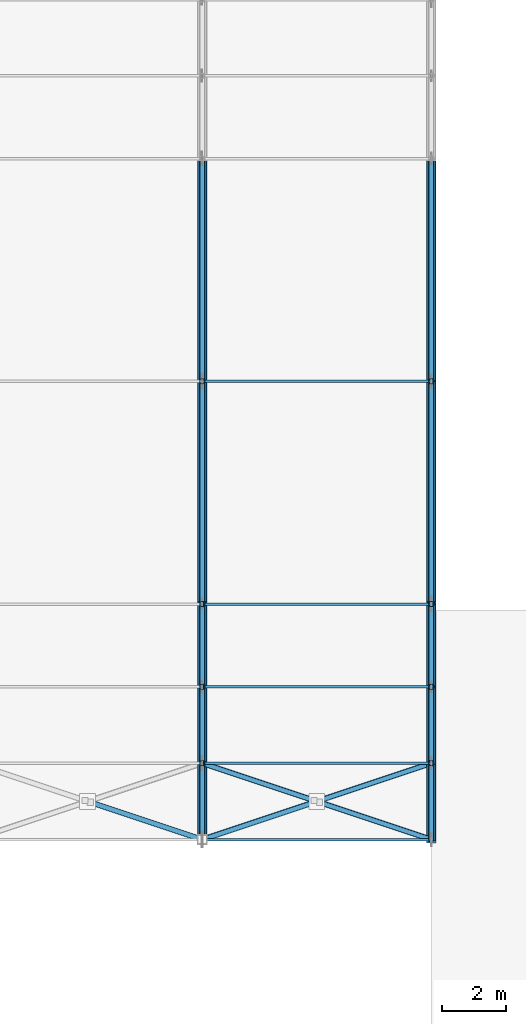
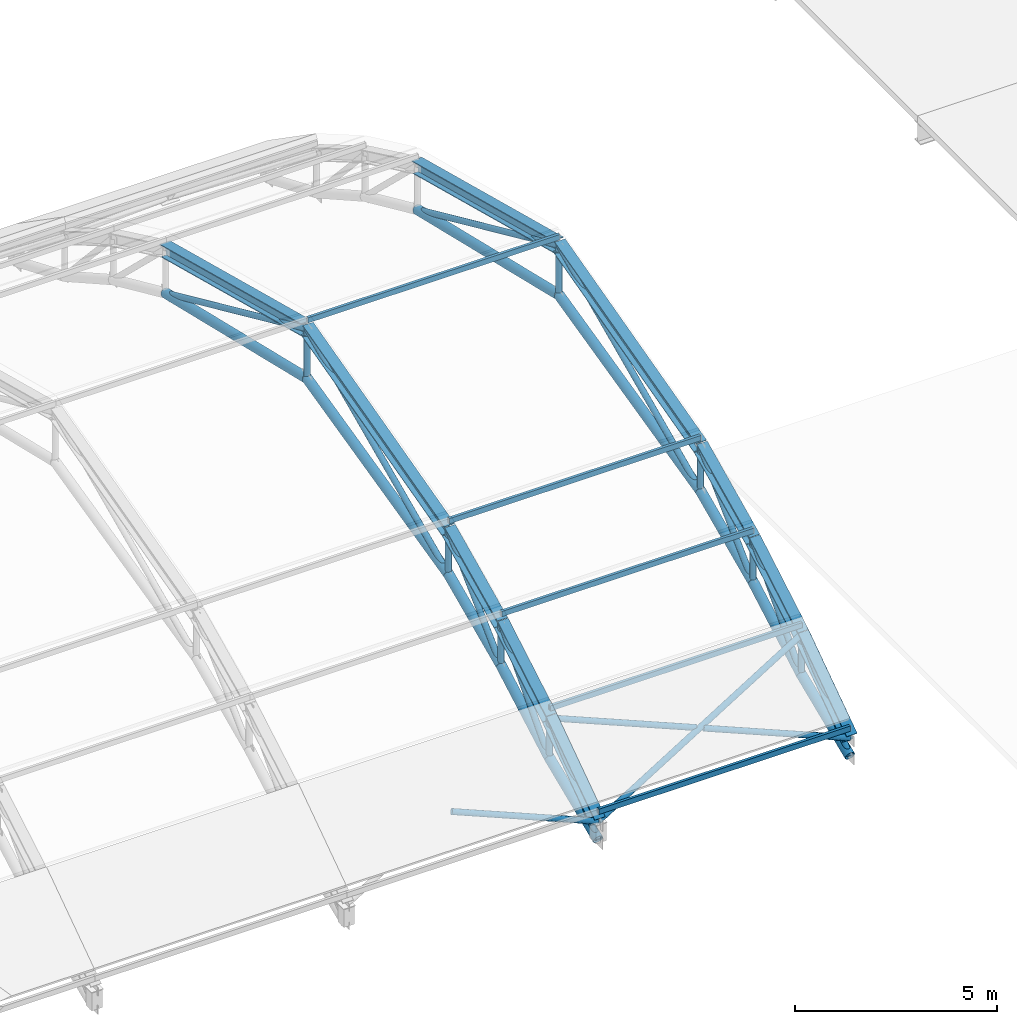
# One storey, part 13 of 63: 37 members, 10 beams.
"""IFC4 building model written with IfcOpenShell, lengths in metres."""

import ifcopenshell
import ifcopenshell.guid

model = None  # the IFC model being written
_history = None  # IfcOwnerHistory: only IFC2X3 demands one
_inside = {}  # id of a spatial element -> (the spatial element, [elements in it])
_under = {}  # id of a project, library or spatial element -> (it, [spatial elements below it])
_declared = {}  # id of a project -> (the project, [libraries it declares])
_typed = {}  # id of a type object -> (the type object, [elements of that type])
_made_of = {}  # id of a material, layer set ... -> (it, [elements and type objects made of it])


def new_model(schema):
    """Start an empty IFC model of exactly this schema.

    Asked for "IFC4X3", IfcOpenShell would pick the latest addendum, in which some entities
    have other attributes; the version numbers below select the first issue.
    IFC2X3 requires an IfcOwnerHistory on every rooted entity: one is made here for all.
    """
    global model, _history
    if schema == "IFC4X3":
        model = ifcopenshell.file(schema_version=(4, 3, 0, 0))
    else:
        model = ifcopenshell.file(schema=schema)
    _inside.clear()
    _under.clear()
    _declared.clear()
    _typed.clear()
    _made_of.clear()
    _history = None
    if model.schema == "IFC2X3":
        org = make("IfcOrganization", Name="unknown")
        user = make(
            "IfcPersonAndOrganization",
            ThePerson=make("IfcPerson", FamilyName="unknown"),
            TheOrganization=org,
        )
        app = make(
            "IfcApplication",
            ApplicationDeveloper=org,
            Version="unknown",
            ApplicationFullName="unknown",
            ApplicationIdentifier="unknown",
        )
        _history = make(
            "IfcOwnerHistory",
            OwningUser=user,
            OwningApplication=app,
            ChangeAction="ADDED",
            CreationDate=0,
        )
    return model


def make(cls, **values):
    """One entity of the class cls with the attributes given. An attribute that is None is left unset."""
    return model.create_entity(
        cls, **{name: value for name, value in values.items() if value is not None}
    )


def rooted(cls, **values):
    """An entity with a GlobalId (a new one), such as an element, a storey or a relation."""
    return make(cls, GlobalId=ifcopenshell.guid.new(), OwnerHistory=_history, **values)


def si_unit(unit_type, name, prefix=None):
    """IfcSIUnit, for example si_unit("LENGTHUNIT", "METRE", prefix="MILLI")."""
    return make("IfcSIUnit", UnitType=unit_type, Prefix=prefix, Name=name)


def assignment(units):
    """IfcUnitAssignment: the units of a project."""
    return None if units is None else make("IfcUnitAssignment", Units=units)


def point(xyz):
    """IfcCartesianPoint."""
    return None if xyz is None else make("IfcCartesianPoint", Coordinates=xyz)


def direction(xyz):
    """IfcDirection."""
    return None if xyz is None else make("IfcDirection", DirectionRatios=xyz)


def frame(location, z_axis=None, x_axis=None):
    """IfcAxis2Placement3D, a coordinate frame: its origin and axes. An axis left out is left unset."""
    return make(
        "IfcAxis2Placement3D",
        Location=point(location),
        Axis=direction(z_axis),
        RefDirection=direction(x_axis),
    )


def frame_2d(location, x_axis=None):
    """IfcAxis2Placement2D, a coordinate frame in the plane: its origin and x axis."""
    return make(
        "IfcAxis2Placement2D", Location=point(location), RefDirection=direction(x_axis)
    )


def origin():
    """The frame at (0, 0, 0) with its axes left unset."""
    return frame((0.0, 0.0, 0.0))


def origin_2d():
    """The frame at (0, 0) in the plane with its x axis left unset."""
    return frame_2d((0.0, 0.0))


def place(relative_to, where):
    """IfcLocalPlacement: puts the frame where relative to a parent placement (None: the world)."""
    return make(
        "IfcLocalPlacement", PlacementRelTo=relative_to, RelativePlacement=where
    )


def context(
    kind, dimensions, precision=None, world=None, true_north=None, identifier=None
):
    """IfcGeometricRepresentationContext, for example the 3D "Model" context."""
    return make(
        "IfcGeometricRepresentationContext",
        ContextIdentifier=identifier,
        ContextType=kind,
        CoordinateSpaceDimension=dimensions,
        Precision=precision,
        WorldCoordinateSystem=world,
        TrueNorth=true_north,
    )


def subcontext(parent, identifier, kind, view, scale=None):
    """IfcGeometricRepresentationSubContext, for example "Body" below "Model"."""
    return make(
        "IfcGeometricRepresentationSubContext",
        ContextIdentifier=identifier,
        ContextType=kind,
        ParentContext=parent,
        TargetScale=scale,
        TargetView=view,
    )


def project(units=None, contexts=None):
    """IfcProject with its units and contexts."""
    return rooted(
        "IfcProject",
        Name="project",
        RepresentationContexts=contexts,
        UnitsInContext=assignment(units),
    )


def spatial(cls, under=None, at=None, **own):
    """A site, building, storey or space (cls), placed at a placement, below another one or the project."""
    s = rooted(cls, ObjectPlacement=at, **own)
    if under is not None:
        _under.setdefault(under.id(), (under, []))[1].append(s)
    return s


def profile(cls, at=None, kind="AREA", **sizes):
    """A parametric profile (cls). Its sizes go by their IFC names, for example OverallWidth=200.0."""
    return make(cls, ProfileType=kind, Position=at, **sizes)


def hollow_rectangle(**sizes):
    """IfcRectangleHollowProfileDef."""
    return profile("IfcRectangleHollowProfileDef", **sizes)


def hollow_circle(**sizes):
    """IfcCircleHollowProfileDef."""
    return profile("IfcCircleHollowProfileDef", **sizes)


def i_section(**sizes):
    """IfcIShapeProfileDef."""
    return profile("IfcIShapeProfileDef", **sizes)


def extrude(swept, where, along, depth):
    """IfcExtrudedAreaSolid: the profile swept, set in the frame where, extruded along a direction by depth."""
    return make(
        "IfcExtrudedAreaSolid",
        SweptArea=swept,
        Position=where,
        ExtrudedDirection=direction(along),
        Depth=depth,
    )


def shape(context_of_items, identifier, shape_type, items):
    """IfcShapeRepresentation: the items that make up one representation, for example the "Body"."""
    return make(
        "IfcShapeRepresentation",
        ContextOfItems=context_of_items,
        RepresentationIdentifier=identifier,
        RepresentationType=shape_type,
        Items=items,
    )


def material(Name=None, Category=None):
    """IfcMaterial."""
    return make("IfcMaterial", Name=Name, Category=Category)


def material_profile(
    of_material, cross_section, Name=None, Category=None, Priority=None
):
    """IfcMaterialProfile: a cross section and its material."""
    return make(
        "IfcMaterialProfile",
        Name=Name,
        Material=of_material,
        Profile=cross_section,
        Priority=Priority,
        Category=Category,
    )


def profile_set(profiles, Name=None, composite=None):
    """IfcMaterialProfileSet."""
    return make(
        "IfcMaterialProfileSet",
        Name=Name,
        MaterialProfiles=profiles,
        CompositeProfile=composite,
    )


def made_of(thing, what):
    """Note that an element or type object is made of a material, layer set ...; save() writes the relation."""
    if what is not None:
        _made_of.setdefault(what.id(), (what, []))[1].append(thing)
    return thing


def type_object(cls, material=None, **own):
    """A type object (cls), such as IfcWallType, which elements share."""
    return made_of(rooted(cls, **own), material)


def element(
    cls,
    number,
    at=None,
    inside=None,
    cuts=None,
    type_object=None,
    material=None,
    context=None,
    identifier="Body",
    shape_type=None,
    held_by="IfcProductDefinitionShape",
    body=None,
    shapes=None,
    **own,
):
    """One element of the class cls, such as IfcWall. Its Tag is "e" and its number.

    at: its placement. inside: the storey or other place that contains it. cuts: it is an
    opening in that element (IfcRelVoidsElement). A single representation is given by context,
    identifier, shape_type and body (its items); several are given by shapes. held_by: the class
    of the entity that holds the representations. save() writes the other relations.
    """
    e = rooted(cls, Tag="e%d" % number, ObjectPlacement=at, **own)
    if body is not None:
        shapes = [shape(context, identifier, shape_type, body)]
    if shapes is not None:
        e.Representation = make(held_by, Representations=shapes)
    if inside is not None:
        _inside.setdefault(inside.id(), (inside, []))[1].append(e)
    if cuts is not None:
        rooted(
            "IfcRelVoidsElement", RelatingBuildingElement=cuts, RelatedOpeningElement=e
        )
    if type_object is not None:
        _typed.setdefault(type_object.id(), (type_object, []))[1].append(e)
    return made_of(e, material)


def aggregate(whole, parts):
    """IfcRelAggregates: a whole, such as a stair, and the parts it consists of."""
    return rooted("IfcRelAggregates", RelatingObject=whole, RelatedObjects=parts)


def save(model, path):
    """Write the relations noted so far, then the file.

    IfcRelAggregates (storeys below a building ...), IfcRelContainedInSpatialStructure (elements
    in a storey), IfcRelDefinesByType, IfcRelAssociatesMaterial and IfcRelDeclares: one each for
    every whole, place, type object, material and project.
    """
    for whole, parts in _under.values():
        aggregate(whole, parts)
    for where, things in _inside.values():
        rooted(
            "IfcRelContainedInSpatialStructure",
            RelatedElements=things,
            RelatingStructure=where,
        )
    for kind, things in _typed.values():
        rooted("IfcRelDefinesByType", RelatedObjects=things, RelatingType=kind)
    for what, things in _made_of.values():
        rooted("IfcRelAssociatesMaterial", RelatedObjects=things, RelatingMaterial=what)
    for by, libraries in _declared.values():
        rooted("IfcRelDeclares", RelatingContext=by, RelatedDefinitions=libraries)
    model.write(path)


model = new_model("IFC4")

# Units and contexts
model_context = context("Model", 3, precision=1e-05, world=origin(), true_north=direction((0.0, 1.0)))
body_context = subcontext(model_context, "Body", "Model", "MODEL_VIEW")
ifc_project = project(units=[si_unit("LENGTHUNIT", "METRE"), si_unit("AREAUNIT", "SQUARE_METRE"), si_unit("VOLUMEUNIT", "CUBIC_METRE"), si_unit("PLANEANGLEUNIT", "RADIAN"), si_unit("MASSUNIT", "GRAM", prefix="KILO")], contexts=[model_context])

# Site, building, storey
site_placement = place(None, origin())
site = spatial("IfcSite", under=ifc_project, at=site_placement, CompositionType="ELEMENT")
building_placement = place(site_placement, origin())
building = spatial("IfcBuilding", under=site, at=building_placement, Name="Solvadek Multi-Sports Hall", CompositionType="ELEMENT")
storey_placement = place(building_placement, frame((0.0, 0.0, 19.199951171875)))
storey = spatial("IfcBuildingStorey", under=building, at=storey_placement, Name="RF", CompositionType="ELEMENT", Elevation=19.199951171875)

# Members
ifc_material_1 = material(Name="Steel E350 (350 MPa)", Category="steel")
ifc_material_profile_1 = material_profile(ifc_material_1, hollow_circle(Radius=0.084228515625, WallThickness=0.008056640625, at=origin_2d()), Name="CHS 168.3x8")
ifc_profile_set_1 = profile_set([ifc_material_profile_1], Name="Steel E350 (350 MPa)")
member_type_1 = type_object("IfcMemberType", Name="STR-BRC-CHS168", PredefinedType="BRACE", material=ifc_profile_set_1)
member_1_placement = place(storey_placement, frame((50.39990234375, 49.199951171875, -4.800048828125), z_axis=(0.0, 0.734794847971, 0.678289415659), x_axis=(-1.0, 0.0, 0.0)))
element("IfcMember", 1, at=member_1_placement, inside=storey, type_object=member_type_1, Name="v4 Truss 5 Web Diagonal 1", PredefinedType="BRACE", context=body_context, shape_type="SweptSolid", body=[
    extrude(hollow_circle(Radius=0.084228515625, WallThickness=0.008056640625, at=origin_2d()), origin(), (0.0, 0.0, 1.0), 3.266357421875),
])
member_2_placement = place(storey_placement, frame((50.39990234375, 51.60009765625, -3.792724609375), z_axis=(0.0, 0.0, 1.0), x_axis=(1.0, 0.0, 0.0)))
element("IfcMember", 2, at=member_2_placement, inside=storey, type_object=member_type_1, Name="v4 Truss 5 Web Vertical 1", PredefinedType="BRACE", context=body_context, shape_type="SweptSolid", body=[
    extrude(hollow_circle(Radius=0.084228515625, WallThickness=0.008056640625, at=origin_2d()), origin(), (0.0, 0.0, 1.0), 1.208251953125),
])
member_3_placement = place(storey_placement, frame((50.39990234375, 51.60009765625, -3.792724609375), z_axis=(0.0, 0.675780661661, 0.737102772566), x_axis=(-1.0, 0.0, 0.0)))
element("IfcMember", 3, at=member_3_placement, inside=storey, type_object=member_type_1, Name="v4 Truss 5 Web Diagonal 2", PredefinedType="BRACE", context=body_context, shape_type="SweptSolid", body=[
    extrude(hollow_circle(Radius=0.084228515625, WallThickness=0.008056640625, at=origin_2d()), origin(), (0.0, 0.0, 1.0), 3.55126953125),
])
member_4_placement = place(storey_placement, frame((50.39990234375, 54.0, -2.441650390625), z_axis=(0.0, 0.0, 1.0), x_axis=(1.0, 0.0, 0.0)))
element("IfcMember", 4, at=member_4_placement, inside=storey, type_object=member_type_1, Name="v4 Truss 5 Web Vertical 2", PredefinedType="BRACE", context=body_context, shape_type="SweptSolid", body=[
    extrude(hollow_circle(Radius=0.084228515625, WallThickness=0.008056640625, at=origin_2d()), origin(), (0.0, 0.0, 1.0), 1.2666015625),
])
member_5_placement = place(storey_placement, frame((50.39990234375, 54.0, -2.441650390625), z_axis=(0.0, 0.720237610838, 0.693727456523), x_axis=(-1.0, 0.0, 0.0)))
element("IfcMember", 5, at=member_5_placement, inside=storey, type_object=member_type_1, Name="v4 Truss 5 Web Diagonal 3", PredefinedType="BRACE", context=body_context, shape_type="SweptSolid", body=[
    extrude(hollow_circle(Radius=0.084228515625, WallThickness=0.008056640625, at=origin_2d()), origin(), (0.0, 0.0, 1.0), 3.610107421875),
])
member_6_placement = place(storey_placement, frame((50.39990234375, 56.60009765625, -1.26708984375), z_axis=(0.0, 0.0, 1.0), x_axis=(1.0, 0.0, 0.0)))
element("IfcMember", 6, at=member_6_placement, inside=storey, type_object=member_type_1, Name="v4 Truss 5 Web Vertical 3", PredefinedType="BRACE", context=body_context, shape_type="SweptSolid", body=[
    extrude(hollow_circle(Radius=0.084228515625, WallThickness=0.008056640625, at=origin_2d()), origin(), (0.0, 0.0, 1.0), 1.329833984375),
])
member_7_placement = place(storey_placement, frame((50.39990234375, 56.60009765625, -1.26708984375), z_axis=(0.0, 0.911080077549, 0.412229417064), x_axis=(-1.0, 0.0, 0.0)))
element("IfcMember", 7, at=member_7_placement, inside=storey, type_object=member_type_1, Name="v4 Truss 5 Web Diagonal 4", PredefinedType="BRACE", context=body_context, shape_type="SweptSolid", body=[
    extrude(hollow_circle(Radius=0.084228515625, WallThickness=0.008056640625, at=origin_2d()), origin(), (0.0, 0.0, 1.0), 7.68310546875),
])
member_8_placement = place(storey_placement, frame((50.39990234375, 63.60009765625, 0.400146484375), z_axis=(0.0, 0.0, 1.0), x_axis=(1.0, 0.0, 0.0)))
element("IfcMember", 8, at=member_8_placement, inside=storey, type_object=member_type_1, Name="v4 Truss 5 Web Vertical 4", PredefinedType="BRACE", context=body_context, shape_type="SweptSolid", body=[
    extrude(hollow_circle(Radius=0.084228515625, WallThickness=0.008056640625, at=origin_2d()), origin(), (0.0, 0.0, 1.0), 1.5),
])
member_9_placement = place(storey_placement, frame((50.39990234375, 63.60009765625, 1.900146484375), z_axis=(0.0, 0.911080077549, -0.412229417064), x_axis=(-1.0, 0.0, 0.0)))
element("IfcMember", 9, at=member_9_placement, inside=storey, type_object=member_type_1, Name="v4 Truss 5 Web Diagonal 5", PredefinedType="BRACE", context=body_context, shape_type="SweptSolid", body=[
    extrude(hollow_circle(Radius=0.084228515625, WallThickness=0.008056640625, at=origin_2d()), origin(), (0.0, 0.0, 1.0), 7.68310546875),
])
member_10_placement = place(storey_placement, frame((57.60009765625, 49.199951171875, -4.800048828125), z_axis=(0.0, 0.734794847971, 0.678289415659), x_axis=(-1.0, 0.0, 0.0)))
element("IfcMember", 10, at=member_10_placement, inside=storey, type_object=member_type_1, Name="v4 Truss 6 Web Diagonal 1", PredefinedType="BRACE", context=body_context, shape_type="SweptSolid", body=[
    extrude(hollow_circle(Radius=0.084228515625, WallThickness=0.008056640625, at=origin_2d()), origin(), (0.0, 0.0, 1.0), 3.266357421875),
])
member_11_placement = place(storey_placement, frame((57.60009765625, 51.60009765625, -3.792724609375), z_axis=(0.0, 0.0, 1.0), x_axis=(1.0, 0.0, 0.0)))
element("IfcMember", 11, at=member_11_placement, inside=storey, type_object=member_type_1, Name="v4 Truss 6 Web Vertical 1", PredefinedType="BRACE", context=body_context, shape_type="SweptSolid", body=[
    extrude(hollow_circle(Radius=0.084228515625, WallThickness=0.008056640625, at=origin_2d()), origin(), (0.0, 0.0, 1.0), 1.208251953125),
])
member_12_placement = place(storey_placement, frame((57.60009765625, 51.60009765625, -3.792724609375), z_axis=(0.0, 0.675780661661, 0.737102772566), x_axis=(-1.0, 0.0, 0.0)))
element("IfcMember", 12, at=member_12_placement, inside=storey, type_object=member_type_1, Name="v4 Truss 6 Web Diagonal 2", PredefinedType="BRACE", context=body_context, shape_type="SweptSolid", body=[
    extrude(hollow_circle(Radius=0.084228515625, WallThickness=0.008056640625, at=origin_2d()), origin(), (0.0, 0.0, 1.0), 3.55126953125),
])
member_13_placement = place(storey_placement, frame((57.60009765625, 54.0, -2.441650390625), z_axis=(0.0, 0.0, 1.0), x_axis=(1.0, 0.0, 0.0)))
element("IfcMember", 13, at=member_13_placement, inside=storey, type_object=member_type_1, Name="v4 Truss 6 Web Vertical 2", PredefinedType="BRACE", context=body_context, shape_type="SweptSolid", body=[
    extrude(hollow_circle(Radius=0.084228515625, WallThickness=0.008056640625, at=origin_2d()), origin(), (0.0, 0.0, 1.0), 1.2666015625),
])
member_14_placement = place(storey_placement, frame((57.60009765625, 54.0, -2.441650390625), z_axis=(0.0, 0.720237610838, 0.693727456523), x_axis=(-1.0, 0.0, 0.0)))
element("IfcMember", 14, at=member_14_placement, inside=storey, type_object=member_type_1, Name="v4 Truss 6 Web Diagonal 3", PredefinedType="BRACE", context=body_context, shape_type="SweptSolid", body=[
    extrude(hollow_circle(Radius=0.084228515625, WallThickness=0.008056640625, at=origin_2d()), origin(), (0.0, 0.0, 1.0), 3.610107421875),
])
member_15_placement = place(storey_placement, frame((57.60009765625, 56.60009765625, -1.26708984375), z_axis=(0.0, 0.0, 1.0), x_axis=(1.0, 0.0, 0.0)))
element("IfcMember", 15, at=member_15_placement, inside=storey, type_object=member_type_1, Name="v4 Truss 6 Web Vertical 3", PredefinedType="BRACE", context=body_context, shape_type="SweptSolid", body=[
    extrude(hollow_circle(Radius=0.084228515625, WallThickness=0.008056640625, at=origin_2d()), origin(), (0.0, 0.0, 1.0), 1.329833984375),
])
member_16_placement = place(storey_placement, frame((57.60009765625, 56.60009765625, -1.26708984375), z_axis=(0.0, 0.911080077549, 0.412229417064), x_axis=(-1.0, 0.0, 0.0)))
element("IfcMember", 16, at=member_16_placement, inside=storey, type_object=member_type_1, Name="v4 Truss 6 Web Diagonal 4", PredefinedType="BRACE", context=body_context, shape_type="SweptSolid", body=[
    extrude(hollow_circle(Radius=0.084228515625, WallThickness=0.008056640625, at=origin_2d()), origin(), (0.0, 0.0, 1.0), 7.68310546875),
])
member_17_placement = place(storey_placement, frame((57.60009765625, 63.60009765625, 0.400146484375), z_axis=(0.0, 0.0, 1.0), x_axis=(1.0, 0.0, 0.0)))
element("IfcMember", 17, at=member_17_placement, inside=storey, type_object=member_type_1, Name="v4 Truss 6 Web Vertical 4", PredefinedType="BRACE", context=body_context, shape_type="SweptSolid", body=[
    extrude(hollow_circle(Radius=0.084228515625, WallThickness=0.008056640625, at=origin_2d()), origin(), (0.0, 0.0, 1.0), 1.5),
])
member_18_placement = place(storey_placement, frame((57.60009765625, 63.60009765625, 1.900146484375), z_axis=(0.0, 0.911080077549, -0.412229417064), x_axis=(-1.0, 0.0, 0.0)))
element("IfcMember", 18, at=member_18_placement, inside=storey, type_object=member_type_1, Name="v4 Truss 6 Web Diagonal 5", PredefinedType="BRACE", context=body_context, shape_type="SweptSolid", body=[
    extrude(hollow_circle(Radius=0.084228515625, WallThickness=0.008056640625, at=origin_2d()), origin(), (0.0, 0.0, 1.0), 7.68310546875),
])
member_19_placement = place(storey_placement, frame((46.88525390625, 50.37158203125, -3.436767578125), z_axis=(0.926615355415, -0.308893240528, -0.214403705813), x_axis=(0.316247535538, 0.948676707981, 0.0)))
element("IfcMember", 19, at=member_19_placement, inside=storey, type_object=member_type_1, Name="V4 Roof Plan Half-Brace #18B", PredefinedType="BRACE", context=body_context, shape_type="SweptSolid", body=[
    extrude(hollow_circle(Radius=0.084228515625, WallThickness=0.008056640625, at=origin_2d()), origin(), (0.0, 0.0, 1.0), 3.79296875),
])
member_20_placement = place(storey_placement, frame((50.39990234375, 49.199951171875, -4.25), z_axis=(0.926630785497, 0.308887401744, 0.21434542312), x_axis=(-0.316237416212, 0.948680081264, 0.0)))
element("IfcMember", 20, at=member_20_placement, inside=storey, type_object=member_type_1, Name="V4 Roof Plan Brace #21", PredefinedType="BRACE", context=body_context, shape_type="SweptSolid", body=[
    extrude(hollow_circle(Radius=0.084228515625, WallThickness=0.008056640625, at=origin_2d()), origin(), (0.0, 0.0, 1.0), 7.770263671875),
])
for number, where, z_axis, x_axis, name in (
    (21, (50.39990234375, 51.60009765625, -2.58447265625), (0.926637239503, -0.308879079834, -0.214329513617), (0.316227766017, 0.948683298051, 0.0), "V4 Roof Plan Half-Brace #22A"),
    (22, (54.085205078125, 50.37158203125, -3.436767578125), (0.926624454946, -0.308874818315, -0.214390918901), (0.316227766017, 0.948683298051, 0.0), "V4 Roof Plan Half-Brace #22B"),
):
    element("IfcMember", number, at=place(storey_placement, frame(where, z_axis=z_axis, x_axis=x_axis)), inside=storey, type_object=member_type_1, Name=name, PredefinedType="BRACE", context=body_context, shape_type="SweptSolid", body=[
        extrude(hollow_circle(Radius=0.084228515625, WallThickness=0.008056640625, at=origin_2d()), origin(), (0.0, 0.0, 1.0), 3.793212890625),
    ])
ifc_material_profile_2 = material_profile(ifc_material_1, hollow_circle(Radius=0.136474609375, WallThickness=0.011962890625, at=origin_2d()), Name="CHS 273.0x12")
ifc_profile_set_2 = profile_set([ifc_material_profile_2], Name="Steel E350 (350 MPa)")
member_type_2 = type_object("IfcMemberType", Name="STR-CHD-CHS273", PredefinedType="CHORD", material=ifc_profile_set_2)
member_21_placement = place(storey_placement, frame((50.39990234375, 49.199951171875, -4.800048828125), z_axis=(0.0, 0.922083202682, 0.38699168897), x_axis=(-1.0, 0.0, 0.0)))
element("IfcMember", 23, at=member_21_placement, inside=storey, type_object=member_type_2, Name="v4 Arched Truss 5 Bottom Chord 1", PredefinedType="CHORD", context=body_context, shape_type="SweptSolid", body=[
    extrude(hollow_circle(Radius=0.136474609375, WallThickness=0.011962890625, at=origin_2d()), origin(), (0.0, 0.0, 1.0), 2.60302734375),
])
member_22_placement = place(storey_placement, frame((50.39990234375, 51.60009765625, -3.792724609375), z_axis=(0.0, 0.871400291801, 0.490572656646), x_axis=(-1.0, 0.0, 0.0)))
element("IfcMember", 24, at=member_22_placement, inside=storey, type_object=member_type_2, Name="v4 Arched Truss 5 Bottom Chord 2", PredefinedType="CHORD", context=body_context, shape_type="SweptSolid", body=[
    extrude(hollow_circle(Radius=0.136474609375, WallThickness=0.011962890625, at=origin_2d()), origin(), (0.0, 0.0, 1.0), 2.754150390625),
])
member_23_placement = place(storey_placement, frame((50.39990234375, 54.0, -2.441650390625), z_axis=(0.0, 0.911328142268, 0.411680722296), x_axis=(-1.0, 0.0, 0.0)))
element("IfcMember", 25, at=member_23_placement, inside=storey, type_object=member_type_2, Name="v4 Arched Truss 5 Bottom Chord 3", PredefinedType="CHORD", context=body_context, shape_type="SweptSolid", body=[
    extrude(hollow_circle(Radius=0.136474609375, WallThickness=0.011962890625, at=origin_2d()), origin(), (0.0, 0.0, 1.0), 2.85302734375),
])
for number, where, z_axis, x_axis, name in (
    (26, (50.39990234375, 56.60009765625, -1.26708984375), (0.0, 0.972788374031, 0.231695445252), (-1.0, 0.0, 0.0), "v4 Arched Truss 5 Bottom Chord 4"),
    (27, (50.39990234375, 63.60009765625, 0.400146484375), (0.0, 0.972788374031, -0.231695445252), (-1.0, 0.0, 0.0), "v4 Arched Truss 5 Bottom Chord 5"),
):
    element("IfcMember", number, at=place(storey_placement, frame(where, z_axis=z_axis, x_axis=x_axis)), inside=storey, type_object=member_type_2, Name=name, PredefinedType="CHORD", context=body_context, shape_type="SweptSolid", body=[
        extrude(hollow_circle(Radius=0.136474609375, WallThickness=0.011962890625, at=origin_2d()), origin(), (0.0, 0.0, 1.0), 7.19580078125),
    ])
member_24_placement = place(storey_placement, frame((57.60009765625, 49.199951171875, -4.800048828125), z_axis=(0.0, 0.922083202682, 0.38699168897), x_axis=(-1.0, 0.0, 0.0)))
element("IfcMember", 28, at=member_24_placement, inside=storey, type_object=member_type_2, Name="v4 Arched Truss 6 Bottom Chord 1", PredefinedType="CHORD", context=body_context, shape_type="SweptSolid", body=[
    extrude(hollow_circle(Radius=0.136474609375, WallThickness=0.011962890625, at=origin_2d()), origin(), (0.0, 0.0, 1.0), 2.60302734375),
])
member_25_placement = place(storey_placement, frame((57.60009765625, 51.60009765625, -3.792724609375), z_axis=(0.0, 0.871400291801, 0.490572656646), x_axis=(-1.0, 0.0, 0.0)))
element("IfcMember", 29, at=member_25_placement, inside=storey, type_object=member_type_2, Name="v4 Arched Truss 6 Bottom Chord 2", PredefinedType="CHORD", context=body_context, shape_type="SweptSolid", body=[
    extrude(hollow_circle(Radius=0.136474609375, WallThickness=0.011962890625, at=origin_2d()), origin(), (0.0, 0.0, 1.0), 2.754150390625),
])
member_26_placement = place(storey_placement, frame((57.60009765625, 54.0, -2.441650390625), z_axis=(0.0, 0.911328142268, 0.411680722296), x_axis=(-1.0, 0.0, 0.0)))
element("IfcMember", 30, at=member_26_placement, inside=storey, type_object=member_type_2, Name="v4 Arched Truss 6 Bottom Chord 3", PredefinedType="CHORD", context=body_context, shape_type="SweptSolid", body=[
    extrude(hollow_circle(Radius=0.136474609375, WallThickness=0.011962890625, at=origin_2d()), origin(), (0.0, 0.0, 1.0), 2.85302734375),
])
for number, where, z_axis, x_axis, name in (
    (31, (57.60009765625, 56.60009765625, -1.26708984375), (0.0, 0.972788374031, 0.231695445252), (-1.0, 0.0, 0.0), "v4 Arched Truss 6 Bottom Chord 4"),
    (32, (57.60009765625, 63.60009765625, 0.400146484375), (0.0, 0.972788374031, -0.231695445252), (-1.0, 0.0, 0.0), "v4 Arched Truss 6 Bottom Chord 5"),
):
    element("IfcMember", number, at=place(storey_placement, frame(where, z_axis=z_axis, x_axis=x_axis)), inside=storey, type_object=member_type_2, Name=name, PredefinedType="CHORD", context=body_context, shape_type="SweptSolid", body=[
        extrude(hollow_circle(Radius=0.136474609375, WallThickness=0.011962890625, at=origin_2d()), origin(), (0.0, 0.0, 1.0), 7.19580078125),
    ])
ifc_material_2 = material(Name="Steel E250 (250 MPa)", Category="steel")
ifc_material_profile_3 = material_profile(ifc_material_2, hollow_rectangle(XDim=0.080078125, YDim=0.159912109375, WallThickness=0.006103515625, at=origin_2d()), Name="RHS 160x80x6")
ifc_profile_set_3 = profile_set([ifc_material_profile_3], Name="Steel E250 (250 MPa)")
member_type_3 = type_object("IfcMemberType", Name="STR-PUR-RHS160", PredefinedType="PURLIN", material=ifc_profile_set_3)
for number, where, z_axis, x_axis, name in (
    (33, (50.39990234375, 49.199951171875, -3.94677734375), (1.0, 0.0, 0.0), (0.0, 1.0, 0.0), "V4 Roof Purlin #100"),
    (34, (50.39990234375, 51.60009765625, -2.28125), (1.0, 0.0, 0.0), (0.0, 1.0, 0.0), "V4 Roof Purlin #101"),
    (35, (50.39990234375, 54.0, -0.88232421875), (1.0, 0.0, 0.0), (0.0, 1.0, 0.0), "V4 Roof Purlin #102"),
    (36, (50.39990234375, 56.60009765625, 0.34619140625), (1.0, 0.0, 0.0), (0.0, 1.0, 0.0), "V4 Roof Purlin #103"),
    (37, (50.39990234375, 63.60009765625, 2.170166015625), (1.0, 0.0, 0.0), (0.0, 1.0, 0.0), "V4 Roof Purlin #104"),
):
    element("IfcMember", number, at=place(storey_placement, frame(where, z_axis=z_axis, x_axis=x_axis)), inside=storey, type_object=member_type_3, Name=name, PredefinedType="PURLIN", context=body_context, shape_type="SweptSolid", body=[
        extrude(hollow_rectangle(XDim=0.080078125, YDim=0.159912109375, WallThickness=0.006103515625, at=origin_2d()), origin(), (0.0, 0.0, 1.0), 7.2001953125),
    ])

# Beams
ifc_material_profile_4 = material_profile(ifc_material_1, i_section(OverallWidth=0.300048828125, OverallDepth=0.360107421875, WebThickness=0.012451171875, FlangeThickness=0.0224609375, at=origin_2d()), Name="WPB 360")
ifc_profile_set_4 = profile_set([ifc_material_profile_4], Name="Steel E350 (350 MPa)")
beam_type = type_object("IfcBeamType", Name="STR-TRS-WPB360", PredefinedType="USERDEFINED", material=ifc_profile_set_4)
beam_1_placement = place(storey_placement, frame((50.39990234375, 49.199951171875, -4.25), z_axis=(0.0, 0.821568941781, 0.570109177177), x_axis=(-1.0, 0.0, 0.0)))
element("IfcBeam", 38, at=beam_1_placement, inside=storey, type_object=beam_type, Name="v4 Arched Truss 5 Top Chord 1", ObjectType="ROOF TRUSS", PredefinedType="USERDEFINED", context=body_context, shape_type="SweptSolid", body=[
    extrude(i_section(OverallWidth=0.300048828125, OverallDepth=0.360107421875, WebThickness=0.012451171875, FlangeThickness=0.0224609375, at=origin_2d()), origin(), (0.0, 0.0, 1.0), 2.92138671875),
])
beam_2_placement = place(storey_placement, frame((50.39990234375, 51.60009765625, -2.58447265625), z_axis=(0.0, 0.862292548737, 0.506410466313), x_axis=(-1.0, 0.0, 0.0)))
element("IfcBeam", 39, at=beam_2_placement, inside=storey, type_object=beam_type, Name="v4 Arched Truss 5 Top Chord 2", ObjectType="ROOF TRUSS", PredefinedType="USERDEFINED", context=body_context, shape_type="SweptSolid", body=[
    extrude(i_section(OverallWidth=0.300048828125, OverallDepth=0.360107421875, WebThickness=0.012451171875, FlangeThickness=0.0224609375, at=origin_2d()), origin(), (0.0, 0.0, 1.0), 2.783203125),
])
beam_3_placement = place(storey_placement, frame((50.39990234375, 54.0, -1.175048828125), z_axis=(0.0, 0.902907526392, 0.429834850592), x_axis=(-1.0, 0.0, 0.0)))
element("IfcBeam", 40, at=beam_3_placement, inside=storey, type_object=beam_type, Name="v4 Arched Truss 5 Top Chord 3", ObjectType="ROOF TRUSS", PredefinedType="USERDEFINED", context=body_context, shape_type="SweptSolid", body=[
    extrude(i_section(OverallWidth=0.300048828125, OverallDepth=0.360107421875, WebThickness=0.012451171875, FlangeThickness=0.0224609375, at=origin_2d()), origin(), (0.0, 0.0, 1.0), 2.879638671875),
])
for number, where, z_axis, x_axis, name in (
    (41, (50.39990234375, 56.60009765625, 0.062744140625), (0.0, 0.967234279075, 0.253885504475), (-1.0, 0.0, 0.0), "v4 Arched Truss 5 Top Chord 4"),
    (42, (50.39990234375, 63.60009765625, 1.900146484375), (0.0, 0.967234279075, -0.253885504475), (-1.0, 0.0, 0.0), "v4 Arched Truss 5 Top Chord 5"),
):
    element("IfcBeam", number, at=place(storey_placement, frame(where, z_axis=z_axis, x_axis=x_axis)), inside=storey, type_object=beam_type, Name=name, ObjectType="ROOF TRUSS", PredefinedType="USERDEFINED", context=body_context, shape_type="SweptSolid", body=[
        extrude(i_section(OverallWidth=0.300048828125, OverallDepth=0.360107421875, WebThickness=0.012451171875, FlangeThickness=0.0224609375, at=origin_2d()), origin(), (0.0, 0.0, 1.0), 7.237060546875),
    ])
beam_4_placement = place(storey_placement, frame((57.60009765625, 49.199951171875, -4.25), z_axis=(0.0, 0.821568941781, 0.570109177177), x_axis=(-1.0, 0.0, 0.0)))
element("IfcBeam", 43, at=beam_4_placement, inside=storey, type_object=beam_type, Name="v4 Arched Truss 6 Top Chord 1", ObjectType="ROOF TRUSS", PredefinedType="USERDEFINED", context=body_context, shape_type="SweptSolid", body=[
    extrude(i_section(OverallWidth=0.300048828125, OverallDepth=0.360107421875, WebThickness=0.012451171875, FlangeThickness=0.0224609375, at=origin_2d()), origin(), (0.0, 0.0, 1.0), 2.92138671875),
])
beam_5_placement = place(storey_placement, frame((57.60009765625, 51.60009765625, -2.58447265625), z_axis=(0.0, 0.862292548737, 0.506410466313), x_axis=(-1.0, 0.0, 0.0)))
element("IfcBeam", 44, at=beam_5_placement, inside=storey, type_object=beam_type, Name="v4 Arched Truss 6 Top Chord 2", ObjectType="ROOF TRUSS", PredefinedType="USERDEFINED", context=body_context, shape_type="SweptSolid", body=[
    extrude(i_section(OverallWidth=0.300048828125, OverallDepth=0.360107421875, WebThickness=0.012451171875, FlangeThickness=0.0224609375, at=origin_2d()), origin(), (0.0, 0.0, 1.0), 2.783203125),
])
beam_6_placement = place(storey_placement, frame((57.60009765625, 54.0, -1.175048828125), z_axis=(0.0, 0.902907526392, 0.429834850592), x_axis=(-1.0, 0.0, 0.0)))
element("IfcBeam", 45, at=beam_6_placement, inside=storey, type_object=beam_type, Name="v4 Arched Truss 6 Top Chord 3", ObjectType="ROOF TRUSS", PredefinedType="USERDEFINED", context=body_context, shape_type="SweptSolid", body=[
    extrude(i_section(OverallWidth=0.300048828125, OverallDepth=0.360107421875, WebThickness=0.012451171875, FlangeThickness=0.0224609375, at=origin_2d()), origin(), (0.0, 0.0, 1.0), 2.879638671875),
])
for number, where, z_axis, x_axis, name in (
    (46, (57.60009765625, 56.60009765625, 0.062744140625), (0.0, 0.967234279075, 0.253885504475), (-1.0, 0.0, 0.0), "v4 Arched Truss 6 Top Chord 4"),
    (47, (57.60009765625, 63.60009765625, 1.900146484375), (0.0, 0.967234279075, -0.253885504475), (-1.0, 0.0, 0.0), "v4 Arched Truss 6 Top Chord 5"),
):
    element("IfcBeam", number, at=place(storey_placement, frame(where, z_axis=z_axis, x_axis=x_axis)), inside=storey, type_object=beam_type, Name=name, ObjectType="ROOF TRUSS", PredefinedType="USERDEFINED", context=body_context, shape_type="SweptSolid", body=[
        extrude(i_section(OverallWidth=0.300048828125, OverallDepth=0.360107421875, WebThickness=0.012451171875, FlangeThickness=0.0224609375, at=origin_2d()), origin(), (0.0, 0.0, 1.0), 7.237060546875),
    ])

save(model, "model.ifc")
